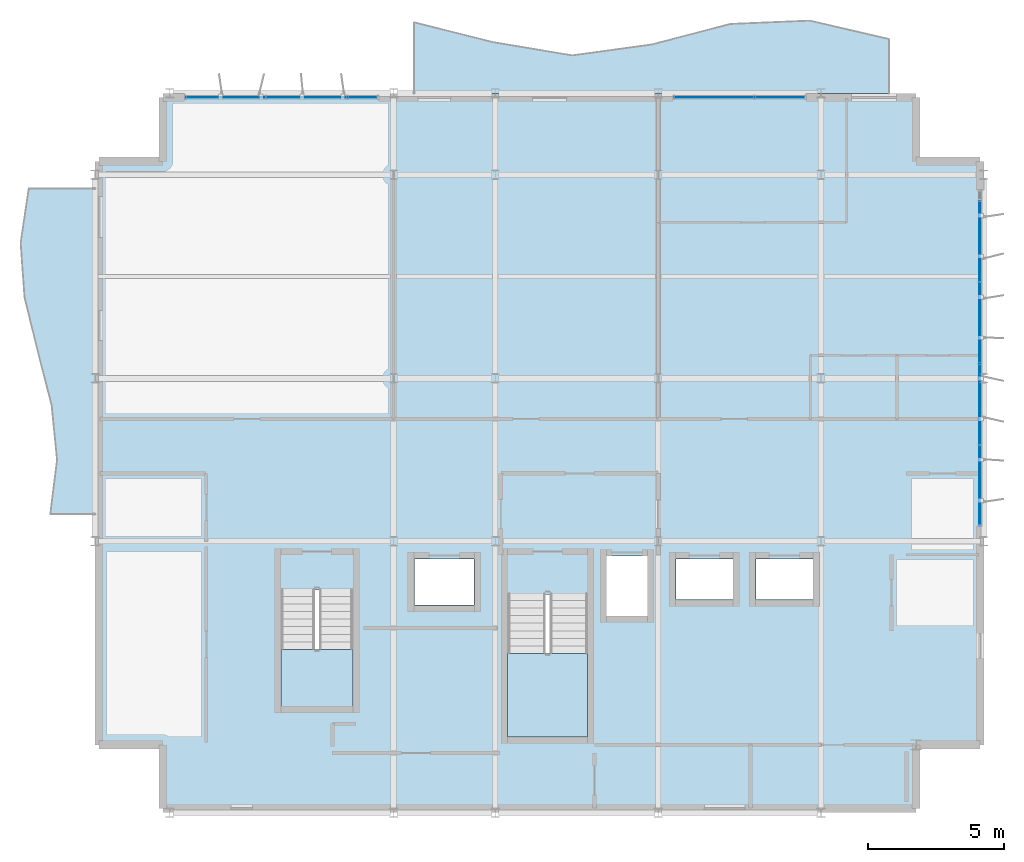
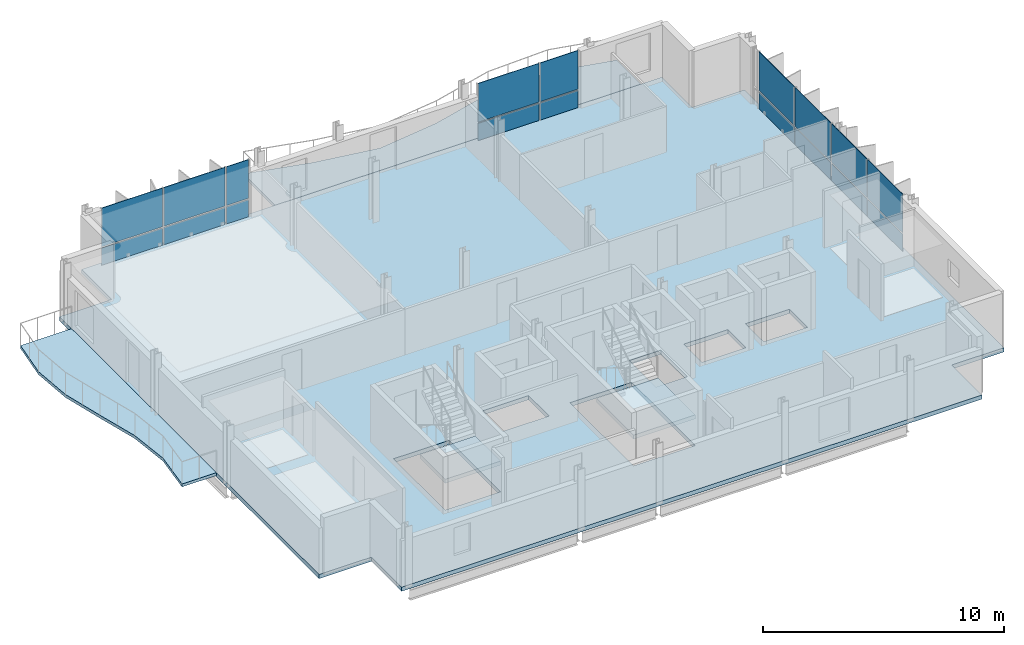
# One storey, part 6 of 12: 18 plates, 5 slabs, 5 elements without a shape of their own.
"""IFC4 building model written with IfcOpenShell, lengths in metres."""

from ifc_helpers import new_model, si_unit, direction, frame, origin, origin_2d, place, context, subcontext, project, spatial, polyline, rectangle, outline, extrude, material, layer, layer_set, type_object, element, aggregate, save


model = new_model("IFC4")

# Units and contexts
model_context = context("Model", 3, precision=1e-05, world=origin(), true_north=direction((0.0, 1.0)))
body_context = subcontext(model_context, "Body", "Model", "MODEL_VIEW")
ifc_project = project(units=[si_unit("LENGTHUNIT", "METRE"), si_unit("AREAUNIT", "SQUARE_METRE"), si_unit("VOLUMEUNIT", "CUBIC_METRE"), si_unit("PLANEANGLEUNIT", "RADIAN"), si_unit("MASSUNIT", "GRAM", prefix="KILO")], contexts=[model_context])

# Site, building, storey
site_placement = place(None, origin())
site = spatial("IfcSite", under=ifc_project, at=site_placement, CompositionType="ELEMENT")
building_placement = place(site_placement, origin())
building = spatial("IfcBuilding", under=site, at=building_placement, Name="Brevholm Reach", CompositionType="ELEMENT")
storey_placement = place(building_placement, frame((0.0, 0.0, 230.39990234375)))
storey = spatial("IfcBuildingStorey", under=building, at=storey_placement, Name="L70", CompositionType="ELEMENT", Elevation=230.39990234375)

# Curtain wall, plates
ifc_material_1 = material(Name="Dark Anodised Aluminium 6063-T6 and Solar-Control Glass", Category="aluminium")
ifc_layer_1 = layer(ifc_material_1, 0.14990234375)
ifc_layer_set_1 = layer_set([ifc_layer_1], Name="Dark Anodised Aluminium 6063-T6 and Solar-Control Glass")
curtain_wall_type = type_object("IfcCurtainWallType", Name="CW-01", PredefinedType="NOTDEFINED", material=ifc_layer_set_1)
curtain_wall_1_placement = place(storey_placement, origin())
curtain_wall_1 = element("IfcCurtainWall", 1, at=curtain_wall_1_placement, inside=storey, type_object=curtain_wall_type, Name="L70 Curtain Wall CW-01", PredefinedType="NOTDEFINED")
ifc_material_2 = material(Name="Dark Solar-Control Double-Glazed IGU Glass", Category="glass")
ifc_layer_2 = layer(ifc_material_2, 0.028076171875)
ifc_layer_set_2 = layer_set([ifc_layer_2], Name="Dark Solar-Control Double-Glazed IGU Glass")
plate_type = type_object("IfcPlateType", Name="CWP-GLZ-28", PredefinedType="CURTAIN_PANEL", material=ifc_layer_set_2)
plate_1_placement = place(storey_placement, frame((59.85009765625, 12.066162109375, 0.0), z_axis=(0.0, 0.0, 1.0), x_axis=(0.0, 1.0, 0.0)))
plate_1 = element("IfcPlate", 2, at=plate_1_placement, type_object=plate_type, Name="CP-01 Glazing Panel 1.1", PredefinedType="CURTAIN_PANEL", context=body_context, shape_type="SweptSolid", body=[
    extrude(rectangle(XDim=2.902587890625, YDim=0.028076171875, at=origin_2d()), origin(), (0.0, 0.0, 1.0), 0.867431640625),
])
plate_2_placement = place(storey_placement, frame((59.85009765625, 12.066162109375, 0.9326171875), z_axis=(0.0, 0.0, 1.0), x_axis=(0.0, 1.0, 0.0)))
plate_2 = element("IfcPlate", 3, at=plate_2_placement, type_object=plate_type, Name="CP-01 Glazing Panel 1.2", PredefinedType="CURTAIN_PANEL", context=body_context, shape_type="SweptSolid", body=[
    extrude(rectangle(XDim=2.902587890625, YDim=0.028076171875, at=origin_2d()), origin(), (0.0, 0.0, 1.0), 1.95751953125),
])
plate_3_placement = place(storey_placement, frame((59.85009765625, 15.050048828125, 0.0), z_axis=(0.0, 0.0, 1.0), x_axis=(0.0, 1.0, 0.0)))
plate_3 = element("IfcPlate", 4, at=plate_3_placement, type_object=plate_type, Name="CP-01 Glazing Panel 2.1", PredefinedType="CURTAIN_PANEL", context=body_context, shape_type="SweptSolid", body=[
    extrude(rectangle(XDim=2.93505859375, YDim=0.028076171875, at=origin_2d()), origin(), (0.0, 0.0, 1.0), 0.867431640625),
])
plate_4_placement = place(storey_placement, frame((59.85009765625, 15.050048828125, 0.9326171875), z_axis=(0.0, 0.0, 1.0), x_axis=(0.0, 1.0, 0.0)))
plate_4 = element("IfcPlate", 5, at=plate_4_placement, type_object=plate_type, Name="CP-01 Glazing Panel 2.2", PredefinedType="CURTAIN_PANEL", context=body_context, shape_type="SweptSolid", body=[
    extrude(rectangle(XDim=2.93505859375, YDim=0.028076171875, at=origin_2d()), origin(), (0.0, 0.0, 1.0), 1.95751953125),
])
plate_5_placement = place(storey_placement, frame((59.85009765625, 18.050048828125, 0.0), z_axis=(0.0, 0.0, 1.0), x_axis=(0.0, 1.0, 0.0)))
plate_5 = element("IfcPlate", 6, at=plate_5_placement, type_object=plate_type, Name="CP-01 Glazing Panel 3.1", PredefinedType="CURTAIN_PANEL", context=body_context, shape_type="SweptSolid", body=[
    extrude(rectangle(XDim=2.93505859375, YDim=0.028076171875, at=origin_2d()), origin(), (0.0, 0.0, 1.0), 0.867431640625),
])
plate_6_placement = place(storey_placement, frame((59.85009765625, 18.050048828125, 0.9326171875), z_axis=(0.0, 0.0, 1.0), x_axis=(0.0, 1.0, 0.0)))
plate_6 = element("IfcPlate", 7, at=plate_6_placement, type_object=plate_type, Name="CP-01 Glazing Panel 3.2", PredefinedType="CURTAIN_PANEL", context=body_context, shape_type="SweptSolid", body=[
    extrude(rectangle(XDim=2.93505859375, YDim=0.028076171875, at=origin_2d()), origin(), (0.0, 0.0, 1.0), 1.95751953125),
])
plate_7_placement = place(storey_placement, frame((59.85009765625, 21.050048828125, 0.0), z_axis=(0.0, 0.0, 1.0), x_axis=(0.0, 1.0, 0.0)))
plate_7 = element("IfcPlate", 8, at=plate_7_placement, type_object=plate_type, Name="CP-01 Glazing Panel 4.1", PredefinedType="CURTAIN_PANEL", context=body_context, shape_type="SweptSolid", body=[
    extrude(rectangle(XDim=2.93505859375, YDim=0.028076171875, at=origin_2d()), origin(), (0.0, 0.0, 1.0), 0.867431640625),
])
plate_8_placement = place(storey_placement, frame((59.85009765625, 21.050048828125, 0.9326171875), z_axis=(0.0, 0.0, 1.0), x_axis=(0.0, 1.0, 0.0)))
plate_8 = element("IfcPlate", 9, at=plate_8_placement, type_object=plate_type, Name="CP-01 Glazing Panel 4.2", PredefinedType="CURTAIN_PANEL", context=body_context, shape_type="SweptSolid", body=[
    extrude(rectangle(XDim=2.93505859375, YDim=0.028076171875, at=origin_2d()), origin(), (0.0, 0.0, 1.0), 1.95751953125),
])
aggregate(curtain_wall_1, [plate_1, plate_2, plate_3, plate_4, plate_5, plate_6, plate_7, plate_8])

curtain_wall_2_placement = place(storey_placement, origin())
curtain_wall_2 = element("IfcCurtainWall", 10, at=curtain_wall_2_placement, inside=storey, type_object=curtain_wall_type, Name="L70 Curtain Wall CW-01", PredefinedType="NOTDEFINED")
plate_9_placement = place(storey_placement, frame((32.066162109375, 26.35009765625, 0.0), z_axis=(0.0, 0.0, 1.0), x_axis=(1.0, 0.0, 0.0)))
plate_9 = element("IfcPlate", 11, at=plate_9_placement, type_object=plate_type, Name="CP-01 Glazing Panel 1.1", PredefinedType="CURTAIN_PANEL", context=body_context, shape_type="SweptSolid", body=[
    extrude(rectangle(XDim=2.902587890625, YDim=0.028076171875, at=origin_2d()), origin(), (0.0, 0.0, 1.0), 0.867431640625),
])
plate_10_placement = place(storey_placement, frame((32.066162109375, 26.35009765625, 0.9326171875), z_axis=(0.0, 0.0, 1.0), x_axis=(1.0, 0.0, 0.0)))
plate_10 = element("IfcPlate", 12, at=plate_10_placement, type_object=plate_type, Name="CP-01 Glazing Panel 1.2", PredefinedType="CURTAIN_PANEL", context=body_context, shape_type="SweptSolid", body=[
    extrude(rectangle(XDim=2.902587890625, YDim=0.028076171875, at=origin_2d()), origin(), (0.0, 0.0, 1.0), 1.95751953125),
])
plate_11_placement = place(storey_placement, frame((35.050048828125, 26.35009765625, 0.0), z_axis=(0.0, 0.0, 1.0), x_axis=(1.0, 0.0, 0.0)))
plate_11 = element("IfcPlate", 13, at=plate_11_placement, type_object=plate_type, Name="CP-01 Glazing Panel 2.1", PredefinedType="CURTAIN_PANEL", context=body_context, shape_type="SweptSolid", body=[
    extrude(rectangle(XDim=2.93505859375, YDim=0.028076171875, at=origin_2d()), origin(), (0.0, 0.0, 1.0), 0.867431640625),
])
plate_12_placement = place(storey_placement, frame((35.050048828125, 26.35009765625, 0.9326171875), z_axis=(0.0, 0.0, 1.0), x_axis=(1.0, 0.0, 0.0)))
plate_12 = element("IfcPlate", 14, at=plate_12_placement, type_object=plate_type, Name="CP-01 Glazing Panel 2.2", PredefinedType="CURTAIN_PANEL", context=body_context, shape_type="SweptSolid", body=[
    extrude(rectangle(XDim=2.93505859375, YDim=0.028076171875, at=origin_2d()), origin(), (0.0, 0.0, 1.0), 1.95751953125),
])
plate_13_placement = place(storey_placement, frame((37.108642578125, 26.35009765625, 0.0), z_axis=(0.0, 0.0, 1.0), x_axis=(1.0, 0.0, 0.0)))
plate_13 = element("IfcPlate", 15, at=plate_13_placement, type_object=plate_type, Name="CP-01 Glazing Panel 3.1", PredefinedType="CURTAIN_PANEL", context=body_context, shape_type="SweptSolid", body=[
    extrude(rectangle(XDim=1.052490234375, YDim=0.028076171875, at=origin_2d()), origin(), (0.0, 0.0, 1.0), 0.867431640625),
])
plate_14_placement = place(storey_placement, frame((37.108642578125, 26.35009765625, 0.9326171875), z_axis=(0.0, 0.0, 1.0), x_axis=(1.0, 0.0, 0.0)))
plate_14 = element("IfcPlate", 16, at=plate_14_placement, type_object=plate_type, Name="CP-01 Glazing Panel 3.2", PredefinedType="CURTAIN_PANEL", context=body_context, shape_type="SweptSolid", body=[
    extrude(rectangle(XDim=1.052490234375, YDim=0.028076171875, at=origin_2d()), origin(), (0.0, 0.0, 1.0), 1.95751953125),
])
aggregate(curtain_wall_2, [plate_9, plate_10, plate_11, plate_12, plate_13, plate_14])

curtain_wall_3_placement = place(storey_placement, origin())
curtain_wall_3 = element("IfcCurtainWall", 17, at=curtain_wall_3_placement, inside=storey, type_object=curtain_wall_type, Name="L70 Curtain Wall CW-01", PredefinedType="NOTDEFINED")
plate_15_placement = place(storey_placement, frame((50.066162109375, 26.35009765625, 0.0), z_axis=(0.0, 0.0, 1.0), x_axis=(1.0, 0.0, 0.0)))
plate_15 = element("IfcPlate", 18, at=plate_15_placement, type_object=plate_type, Name="CP-01 Glazing Panel 1.1", PredefinedType="CURTAIN_PANEL", context=body_context, shape_type="SweptSolid", body=[
    extrude(rectangle(XDim=2.902587890625, YDim=0.028076171875, at=origin_2d()), origin(), (0.0, 0.0, 1.0), 0.867431640625),
])
plate_16_placement = place(storey_placement, frame((50.066162109375, 26.35009765625, 0.9326171875), z_axis=(0.0, 0.0, 1.0), x_axis=(1.0, 0.0, 0.0)))
plate_16 = element("IfcPlate", 19, at=plate_16_placement, type_object=plate_type, Name="CP-01 Glazing Panel 1.2", PredefinedType="CURTAIN_PANEL", context=body_context, shape_type="SweptSolid", body=[
    extrude(rectangle(XDim=2.902587890625, YDim=0.028076171875, at=origin_2d()), origin(), (0.0, 0.0, 1.0), 1.95751953125),
])
plate_17_placement = place(storey_placement, frame((52.483642578125, 26.35009765625, 0.0), z_axis=(0.0, 0.0, 1.0), x_axis=(1.0, 0.0, 0.0)))
plate_17 = element("IfcPlate", 20, at=plate_17_placement, type_object=plate_type, Name="CP-01 Glazing Panel 2.1", PredefinedType="CURTAIN_PANEL", context=body_context, shape_type="SweptSolid", body=[
    extrude(rectangle(XDim=1.802490234375, YDim=0.028076171875, at=origin_2d()), origin(), (0.0, 0.0, 1.0), 0.867431640625),
])
plate_18_placement = place(storey_placement, frame((52.483642578125, 26.35009765625, 0.9326171875), z_axis=(0.0, 0.0, 1.0), x_axis=(1.0, 0.0, 0.0)))
plate_18 = element("IfcPlate", 21, at=plate_18_placement, type_object=plate_type, Name="CP-01 Glazing Panel 2.2", PredefinedType="CURTAIN_PANEL", context=body_context, shape_type="SweptSolid", body=[
    extrude(rectangle(XDim=1.802490234375, YDim=0.028076171875, at=origin_2d()), origin(), (0.0, 0.0, 1.0), 1.95751953125),
])
aggregate(curtain_wall_3, [plate_15, plate_16, plate_17, plate_18])

# Slabs
ifc_material_3 = material(Name="Precast Concrete C45/55", Category="concrete")
ifc_layer_3 = layer(ifc_material_3, 0.14990234375)
ifc_layer_set_3 = layer_set([ifc_layer_3], Name="Precast Concrete C45/55")
slab_type_1 = type_object("IfcSlabType", Name="SLB-BAL-150", PredefinedType="FLOOR", material=ifc_layer_set_3)
slab_1_placement = place(storey_placement, frame((0.0, 0.0, -0.14990234375)))
element("IfcSlab", 22, at=slab_1_placement, inside=storey, type_object=slab_type_1, Name="L70 Rippling External Balcony NE", PredefinedType="FLOOR", context=body_context, shape_type="SweptSolid", body=[
    extrude(outline(polyline([(39.0, 26.5), (56.5, 26.5), (56.5, 28.50439453125), (53.583251953125, 29.181640625), (50.666748046875, 29.060546875), (47.75, 28.300537109375), (44.833251953125, 27.901611328125), (41.916748046875, 28.388916015625), (39.0, 29.12109375), (39.0, 26.5)])), origin(), (0.0, 0.0, 1.0), 0.14990234375),
])
slab_2_placement = place(storey_placement, frame((0.0, 0.0, -0.14990234375)))
element("IfcSlab", 23, at=slab_2_placement, inside=storey, type_object=slab_type_1, Name="L70 Rippling External Balcony SLOT", PredefinedType="FLOOR", context=body_context, shape_type="SweptSolid", body=[
    extrude(outline(polyline([(27.25, 11.0), (27.25, 23.0), (24.807373046875, 23.0), (24.50830078125, 21.0), (24.650390625, 19.0), (25.1396484375, 17.0), (25.65234375, 15.0), (25.84912109375, 13.0), (25.599853515625, 11.0), (27.25, 11.0)])), origin(), (0.0, 0.0, 1.0), 0.14990234375),
])
ifc_material_4 = material(Name="Concrete C40/50", Category="concrete")
ifc_layer_4 = layer(ifc_material_4, 0.2099609375)
ifc_layer_set_4 = layer_set([ifc_layer_4], Name="Concrete C40/50")
slab_type_2 = type_object("IfcSlabType", Name="SLB-FL-210", PredefinedType="FLOOR", material=ifc_layer_set_4)
slab_3_placement = place(storey_placement, frame((0.0, 0.0, -0.2099609375)))
element("IfcSlab", 24, at=slab_3_placement, inside=storey, type_object=slab_type_2, Name="L70 Suspended Floor Slab (east-tower)", PredefinedType="FLOOR", context=body_context, shape_type="SweptSolid", body=[
    extrude(outline(polyline([(29.75, 0.0), (57.5, 0.0), (57.5, 2.5), (60.0, 2.5), (60.0, 24.0), (57.5, 24.0), (57.5, 26.5), (29.75, 26.5), (29.75, 24.0), (27.25, 24.0), (27.25, 2.5), (29.75, 2.5), (29.75, 0.0)]), holes=[polyline([(42.449951171875, 2.780029296875), (45.39990234375, 2.780029296875), (45.39990234375, 8.044921875), (42.449951171875, 8.044921875), (42.449951171875, 2.780029296875)]), polyline([(34.10009765625, 3.919921875), (36.75, 3.919921875), (36.75, 8.195068359375), (34.10009765625, 8.195068359375), (34.10009765625, 3.919921875)]), polyline([(46.10009765625, 7.25), (47.60009765625, 7.25), (47.60009765625, 9.449951171875), (46.10009765625, 9.449951171875), (46.10009765625, 7.25)]), polyline([(39.02001953125, 7.64990234375), (41.219970703125, 7.64990234375), (41.219970703125, 9.35009765625), (39.02001953125, 9.35009765625), (39.02001953125, 7.64990234375)]), polyline([(48.64990234375, 7.85009765625), (50.75, 7.85009765625), (50.75, 9.35009765625), (48.64990234375, 9.35009765625), (48.64990234375, 7.85009765625)]), polyline([(51.60009765625, 7.85009765625), (53.699951171875, 7.85009765625), (53.699951171875, 9.35009765625), (51.60009765625, 9.35009765625), (51.60009765625, 7.85009765625)])]), origin(), (0.0, 0.0, 1.0), 0.2099609375),
])

# Stair, slab
ifc_material_5 = material(Name="Precast Concrete C40/50", Category="concrete")
stair_type_1 = type_object("IfcStairType", Name="STR-ESC-1400", PredefinedType="DOUBLE_RETURN_STAIR", material=ifc_material_5)
stair_1_placement = place(storey_placement, origin())
stair_1 = element("IfcStair", 25, at=stair_1_placement, inside=storey, type_object=stair_type_1, Name="L70 ST-2", PredefinedType="DOUBLE_RETURN_STAIR")
ifc_material_6 = material(Name="Concrete C40/50", Category="concrete")
ifc_layer_5 = layer(ifc_material_6, 0.199951171875)
ifc_layer_set_5 = layer_set([ifc_layer_5], Name="Concrete C40/50")
slab_type_3 = type_object("IfcSlabType", Name="SLB-LND-200", PredefinedType="LANDING", material=ifc_layer_set_5)
slab_4_placement = place(storey_placement, frame((0.0, 0.0, 1.35009765625)))
slab_4 = element("IfcSlab", 26, at=slab_4_placement, type_object=slab_type_3, Name="ST-2 landing 1", PredefinedType="LANDING", context=body_context, shape_type="SweptSolid", body=[
    extrude(outline(polyline([(42.449951171875, 5.860107421875), (42.449951171875, 2.780029296875), (45.39990234375, 2.780029296875), (45.39990234375, 5.860107421875), (42.449951171875, 5.860107421875)])), origin(), (0.0, 0.0, 1.0), 0.199951171875),
])
aggregate(stair_1, [slab_4])

ifc_material_7 = material(Name="Precast Concrete C40/50", Category="concrete")
stair_type_2 = type_object("IfcStairType", Name="STR-ESC-1250", PredefinedType="DOUBLE_RETURN_STAIR", material=ifc_material_7)
stair_2_placement = place(storey_placement, origin())
stair_2 = element("IfcStair", 27, at=stair_2_placement, inside=storey, type_object=stair_type_2, Name="L70 ST-3", PredefinedType="DOUBLE_RETURN_STAIR")
slab_5_placement = place(storey_placement, frame((0.0, 0.0, 1.35009765625)))
slab_5 = element("IfcSlab", 28, at=slab_5_placement, type_object=slab_type_3, Name="ST-3 landing 1", PredefinedType="LANDING", context=body_context, shape_type="SweptSolid", body=[
    extrude(outline(polyline([(34.10009765625, 6.010009765625), (34.10009765625, 3.919921875), (36.75, 3.919921875), (36.75, 6.010009765625), (34.10009765625, 6.010009765625)])), origin(), (0.0, 0.0, 1.0), 0.199951171875),
])
aggregate(stair_2, [slab_5])

save(model, "model.ifc")
